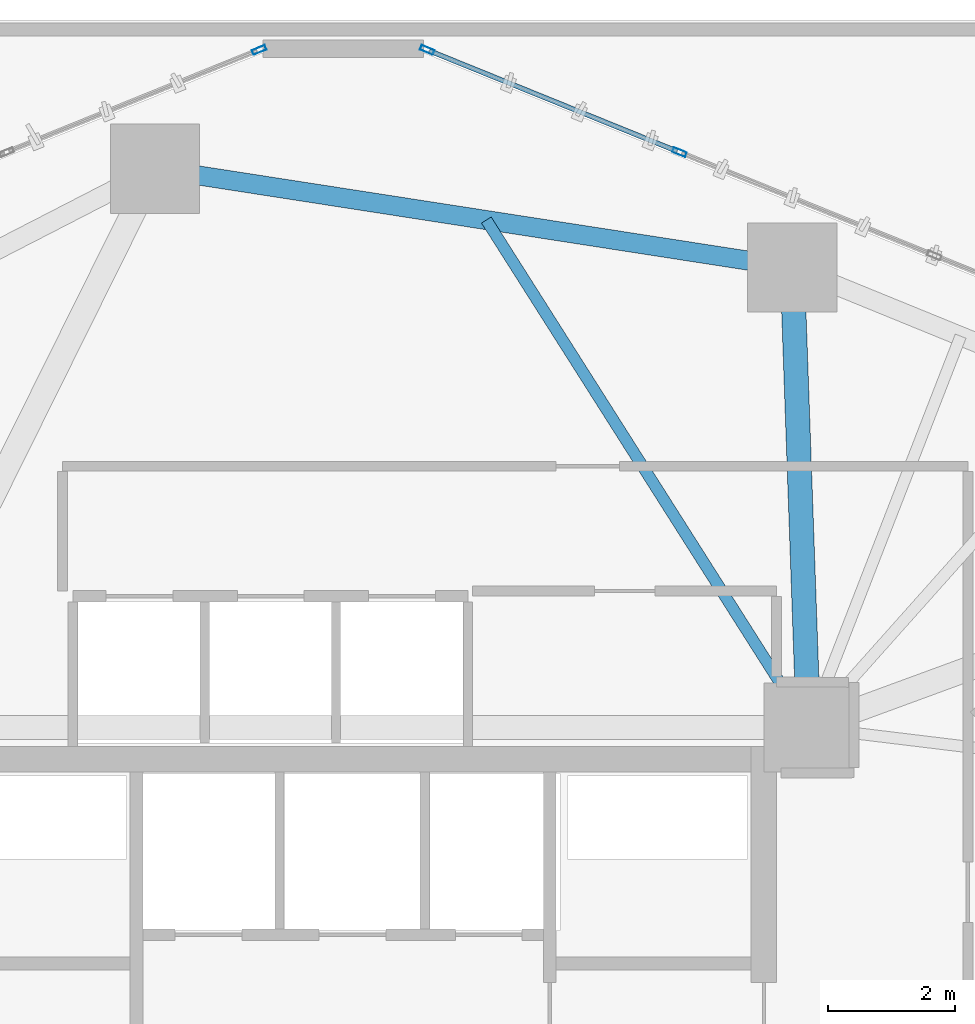
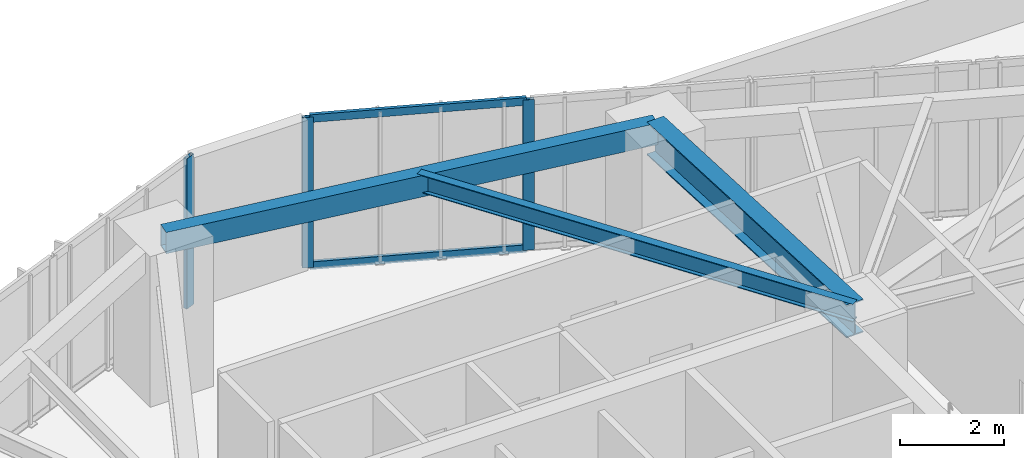
# One storey, part 15 of 23: 5 members, 3 beams, 2 elements without a shape of their own.
"""IFC4 building model written with IfcOpenShell, lengths in metres."""

from ifc_helpers import new_model, si_unit, direction, frame, origin, origin_2d, place, context, subcontext, project, spatial, hollow_rectangle, i_section, extrude, source, transform, mapped, material, layer, layer_set, material_profile, profile_set, type_object, type_shapes, element, aggregate, save


model = new_model("IFC4")

# Units and contexts
model_context = context("Model", 3, precision=1e-05, world=origin(), true_north=direction((0.0, 1.0)))
body_context = subcontext(model_context, "Body", "Model", "MODEL_VIEW")
ifc_project = project(units=[si_unit("LENGTHUNIT", "METRE"), si_unit("AREAUNIT", "SQUARE_METRE"), si_unit("VOLUMEUNIT", "CUBIC_METRE"), si_unit("PLANEANGLEUNIT", "RADIAN"), si_unit("MASSUNIT", "GRAM", prefix="KILO")], contexts=[model_context])

# Site, building, storey
site_placement = place(None, origin())
site = spatial("IfcSite", under=ifc_project, at=site_placement, CompositionType="ELEMENT")
building_placement = place(site_placement, origin())
building = spatial("IfcBuilding", under=site, at=building_placement, Name="Talar Marvaseh", CompositionType="ELEMENT")
storey_placement = place(building_placement, frame((0.0, 0.0, 24.0)))
storey = spatial("IfcBuildingStorey", under=building, at=storey_placement, Name="L05", CompositionType="ELEMENT", Elevation=24.0)

# Beams
ifc_material_1 = material(Name="Steel S355", Category="steel")
ifc_material_profile_1 = material_profile(ifc_material_1, hollow_rectangle(XDim=0.300048828125, YDim=0.5, WallThickness=0.02001953125, at=origin_2d()), Name="RHS500x300x20")
ifc_profile_set_1 = profile_set([ifc_material_profile_1], Name="Steel S355")
beam_type_1 = type_object("IfcBeamType", Name="Zone 1 Perimeter Spandrel Beam RHS500x300x20", PredefinedType="SPANDREL", material=ifc_profile_set_1)
beam_1_placement = place(storey_placement, frame((23.047119140625, 45.6669921875, 3.27001953125), z_axis=(0.988210751461, -0.153099675693, 0.0), x_axis=(0.153099675693, 0.988210751461, 0.0)))
element("IfcBeam", 1, at=beam_1_placement, inside=storey, type_object=beam_type_1, Name="L05 Zone 1 Perimeter Spandrel Beam RHS500x300x20", PredefinedType="SPANDREL", context=body_context, shape_type="SweptSolid", body=[
    extrude(hollow_rectangle(XDim=0.300048828125, YDim=0.5, WallThickness=0.02001953125, at=origin_2d()), origin(), (0.0, 0.0, 1.0), 10.1181640625),
])
ifc_material_profile_2 = material_profile(ifc_material_1, i_section(OverallWidth=0.381103515625, OverallDepth=0.77294921875, WebThickness=0.0166015625, FlangeThickness=0.027099609375, at=origin_2d()), Name="W760x257")
ifc_profile_set_2 = profile_set([ifc_material_profile_2], Name="Steel S355")
beam_type_2 = type_object("IfcBeamType", Name="Zone 1 Radial Floor Girder W760x257", PredefinedType="BEAM", material=ifc_profile_set_2)
beam_2_placement = place(storey_placement, frame((33.0458984375, 44.117919921875, 3.133544921875), z_axis=(0.03518874657, -0.999380684281, 0.0), x_axis=(0.999380684281, 0.03518874657, 0.0)))
element("IfcBeam", 2, at=beam_2_placement, inside=storey, type_object=beam_type_2, Name="L05 Zone 1 Radial Floor Girder W760x257", PredefinedType="BEAM", context=body_context, shape_type="SweptSolid", body=[
    extrude(i_section(OverallWidth=0.381103515625, OverallDepth=0.77294921875, WebThickness=0.0166015625, FlangeThickness=0.027099609375, at=origin_2d()), origin(), (0.0, 0.0, 1.0), 7.222412109375),
])
ifc_material_profile_3 = material_profile(ifc_material_1, i_section(OverallWidth=0.179931640625, OverallDepth=0.4130859375, WebThickness=0.009765625, FlangeThickness=0.01611328125, at=origin_2d()), Name="W410x75")
ifc_profile_set_3 = profile_set([ifc_material_profile_3], Name="Steel S355")
beam_type_3 = type_object("IfcBeamType", Name="Zone 1 Secondary Floor Joist W410x75", PredefinedType="JOIST", material=ifc_profile_set_3)
beam_3_placement = place(storey_placement, frame((28.24658203125, 44.861572265625, 3.3134765625), z_axis=(0.53589010079, -0.844287747083, 0.0), x_axis=(0.844287747083, 0.53589010079, 0.0)))
element("IfcBeam", 3, at=beam_3_placement, inside=storey, type_object=beam_type_3, Name="L05 Zone 1 Secondary Floor Joist W410x75", PredefinedType="JOIST", context=body_context, shape_type="SweptSolid", body=[
    extrude(i_section(OverallWidth=0.179931640625, OverallDepth=0.4130859375, WebThickness=0.009765625, FlangeThickness=0.01611328125, at=origin_2d()), origin(), (0.0, 0.0, 1.0), 9.429931640625),
])

# Curtain wall, member
ifc_material_2 = material(Name="Architectural Aluminium", Category="aluminium")
ifc_layer = layer(ifc_material_2, 0.219970703125)
ifc_layer_set = layer_set([ifc_layer], Name="Architectural Aluminium")
curtain_wall_type = type_object("IfcCurtainWallType", Name="Unitised Low-E Museum Curtain Wall Z1", PredefinedType="NOTDEFINED", material=ifc_layer_set)
curtain_wall_1_placement = place(storey_placement, origin())
curtain_wall_1 = element("IfcCurtainWall", 4, at=curtain_wall_1_placement, inside=storey, type_object=curtain_wall_type, Name="L05 Unitised Low-E Museum Curtain Wall Z1", PredefinedType="NOTDEFINED")
ifc_material_profile_4 = material_profile(ifc_material_2, hollow_rectangle(XDim=0.080078125, YDim=0.219970703125, WallThickness=0.0048828125, at=origin_2d()), Name="RHS220x80x5")
ifc_profile_set_4 = profile_set([ifc_material_profile_4], Name="Architectural Aluminium")
member_type_1 = type_object("IfcMemberType", Name="Unitised Curtain Wall Heavy Mullion RHS220x80x5", PredefinedType="MULLION", material=ifc_profile_set_4)
shared_shape_1 = source(origin(), body_context, "Body", "SweptSolid", [
    extrude(hollow_rectangle(XDim=0.080078125, YDim=0.219970703125, WallThickness=0.0048828125, at=origin_2d()), origin(), (0.0, 0.0, 1.0), 3.52001953125),
])
type_shapes(member_type_1, [shared_shape_1])
member_1_placement = place(storey_placement, frame((24.682373046875, 47.530517578125, 0.0), z_axis=(0.0, 0.0, 1.0), x_axis=(-0.375705108733, 0.926739268226, 0.0)))
member_1 = element("IfcMember", 5, at=member_1_placement, type_object=member_type_1, Name="CW-Z1 mullion 5", PredefinedType="MULLION", context=body_context, shape_type="MappedRepresentation", body=[
    mapped(shared_shape_1, transform((0.0, 0.0, 0.0), x_axis=(1.0, 0.0, 0.0), y_axis=(0.0, 1.0, 0.0), z_axis=(0.0, 0.0, 1.0), scale=1.0)),
])
aggregate(curtain_wall_1, [member_1])

# Curtain wall, members
curtain_wall_2_placement = place(storey_placement, origin())
curtain_wall_2 = element("IfcCurtainWall", 6, at=curtain_wall_2_placement, inside=storey, type_object=curtain_wall_type, Name="L05 Unitised Low-E Museum Curtain Wall Z1", PredefinedType="NOTDEFINED")
member_2_placement = place(storey_placement, frame((27.317626953125, 47.530517578125, 0.0), z_axis=(0.0, 0.0, 1.0), x_axis=(0.375705108733, 0.926739268226, 0.0)))
member_2 = element("IfcMember", 7, at=member_2_placement, type_object=member_type_1, Name="CW-Z1 mullion 1", PredefinedType="MULLION", context=body_context, shape_type="MappedRepresentation", body=[
    mapped(shared_shape_1, transform((0.0, 0.0, 0.0), x_axis=(1.0, 0.0, 0.0), y_axis=(0.0, 1.0, 0.0), z_axis=(0.0, 0.0, 1.0), scale=1.0)),
])
member_3_placement = place(storey_placement, frame((31.276611328125, 45.925537109375, 0.0), z_axis=(0.0, 0.0, 1.0), x_axis=(0.375705108733, 0.926739268226, 0.0)))
member_3 = element("IfcMember", 8, at=member_3_placement, type_object=member_type_1, Name="CW-Z1 mullion 2", PredefinedType="MULLION", context=body_context, shape_type="MappedRepresentation", body=[
    mapped(shared_shape_1, transform((0.0, 0.0, 0.0), x_axis=(1.0, 0.0, 0.0), y_axis=(0.0, 1.0, 0.0), z_axis=(0.0, 0.0, 1.0), scale=1.0)),
])
ifc_material_profile_5 = material_profile(ifc_material_2, hollow_rectangle(XDim=0.074951171875, YDim=0.179931640625, WallThickness=0.0048828125, at=origin_2d()), Name="RHS180x75x5")
ifc_profile_set_5 = profile_set([ifc_material_profile_5], Name="Architectural Aluminium")
member_type_2 = type_object("IfcMemberType", Name="Unitised Curtain Wall Transom RHS180x75x5", PredefinedType="USERDEFINED", material=ifc_profile_set_5)
shared_shape_2 = source(origin(), body_context, "Body", "SweptSolid", [
    extrude(hollow_rectangle(XDim=0.074951171875, YDim=0.179931640625, WallThickness=0.0048828125, at=origin_2d()), origin(), (0.0, 0.0, 1.0), 4.19189453125),
])
type_shapes(member_type_2, [shared_shape_2])
member_4_placement = place(storey_placement, frame((27.354736328125, 47.515625, 0.03759765625), z_axis=(0.926735431704, -0.375714572016, 0.0), x_axis=(0.375714572016, 0.926735431704, 0.0)))
member_4 = element("IfcMember", 9, at=member_4_placement, type_object=member_type_2, Name="CW-Z1 transom 1.1", ObjectType="TRANSOM", PredefinedType="USERDEFINED", context=body_context, shape_type="MappedRepresentation", body=[
    mapped(shared_shape_2, transform((0.0, 0.0, 0.0), x_axis=(1.0, 0.0, 0.0), y_axis=(0.0, 1.0, 0.0), z_axis=(0.0, 0.0, 1.0), scale=1.0)),
])
member_5_placement = place(storey_placement, frame((27.354736328125, 47.515625, 3.482421875), z_axis=(0.926735431704, -0.375714572016, 0.0), x_axis=(0.375714572016, 0.926735431704, 0.0)))
member_5 = element("IfcMember", 10, at=member_5_placement, type_object=member_type_2, Name="CW-Z1 transom 1.2", ObjectType="TRANSOM", PredefinedType="USERDEFINED", context=body_context, shape_type="MappedRepresentation", body=[
    mapped(shared_shape_2, transform((0.0, 0.0, 0.0), x_axis=(1.0, 0.0, 0.0), y_axis=(0.0, 1.0, 0.0), z_axis=(0.0, 0.0, 1.0), scale=1.0)),
])
aggregate(curtain_wall_2, [member_2, member_3, member_4, member_5])

save(model, "model.ifc")
